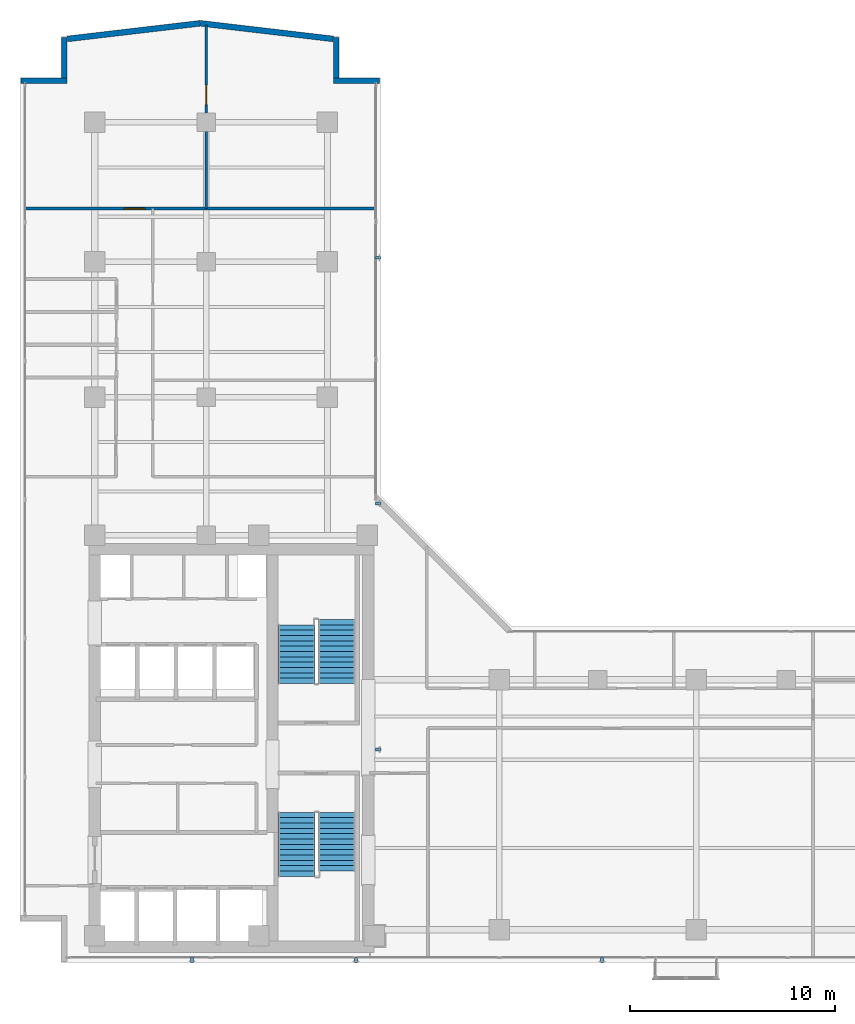
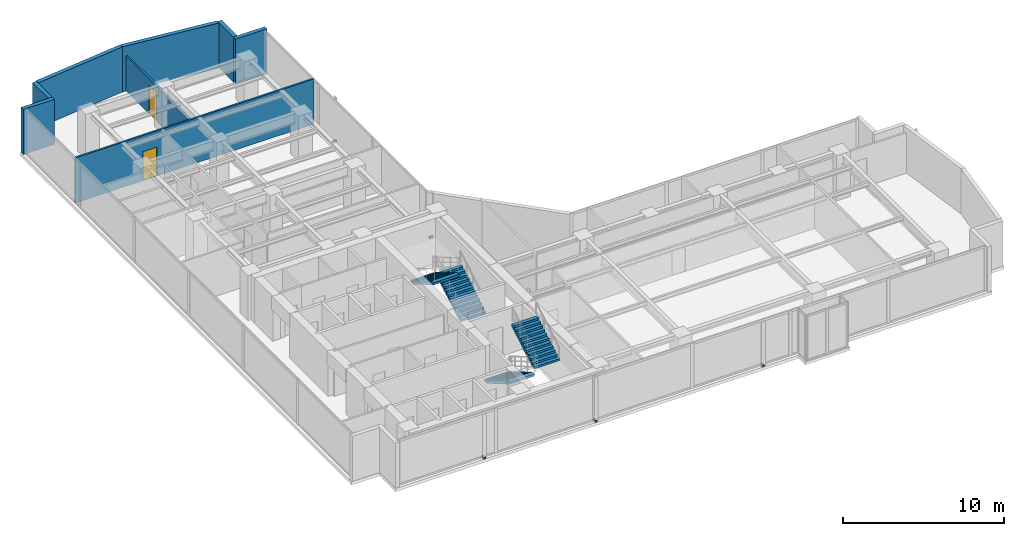
# One storey, part 19 of 24: 8 walls, 6 discrete accessories, 4 stair flights, 2 doors, 2 openings, 2 elements without a shape of their own.
"""IFC4 building model written with IfcOpenShell, lengths in metres."""

from ifc_helpers import new_model, si_unit, direction, frame, frame_2d, origin, origin_with_axes, origin_2d, place, context, subcontext, project, spatial, polyline, rectangle, outline, extrude, source, transform, mapped, material, layer, layer_set, type_object, element, fill, aggregate, save


model = new_model("IFC4")

# Units and contexts
model_context = context("Model", 3, precision=1e-05, world=origin(), true_north=direction((0.0, 1.0)))
body_context = subcontext(model_context, "Body", "Model", "MODEL_VIEW")
ifc_project = project(units=[si_unit("LENGTHUNIT", "METRE"), si_unit("AREAUNIT", "SQUARE_METRE"), si_unit("VOLUMEUNIT", "CUBIC_METRE"), si_unit("PLANEANGLEUNIT", "RADIAN"), si_unit("MASSUNIT", "GRAM", prefix="KILO")], contexts=[model_context])

# Site, building, storey
site_placement = place(None, origin())
site = spatial("IfcSite", under=ifc_project, at=site_placement, CompositionType="ELEMENT")
building_placement = place(site_placement, origin())
building = spatial("IfcBuilding", under=site, at=building_placement, Name="Kolvaren Waterfront Exchange", CompositionType="ELEMENT")
storey_placement = place(building_placement, frame((0.0, 0.0, 253.89990234375)))
storey = spatial("IfcBuildingStorey", under=building, at=storey_placement, Name="L65", CompositionType="ELEMENT", Elevation=253.89990234375)

# Walls
ifc_material_1 = material(Name="Precast concrete C40/50", Category="concrete")
ifc_layer_1 = layer(ifc_material_1, 0.280029296875, Name="Precast concrete C40/50")
ifc_layer_set_1 = layer_set([ifc_layer_1], Name="Precast concrete C40/50")
wall_type_1 = type_object("IfcWallType", Name="ARC-EXT-TERR-280", PredefinedType="SOLIDWALL", material=ifc_layer_set_1)
wall_1_placement = place(storey_placement, frame((19.10009765625, 46.639892578125, 0.0), z_axis=(0.0, 0.0, 1.0), x_axis=(1.0, 0.0, 0.0)))
element("IfcWall", 1, at=wall_1_placement, inside=storey, type_object=wall_type_1, Name="L65 notched corner spandrel pier NNE-A", PredefinedType="SOLIDWALL", context=body_context, shape_type="SweptSolid", body=[
    extrude(rectangle(XDim=2.239990234375, YDim=0.280029296875, at=frame_2d((1.1201171875, 0.0))), origin(), (0.0, 0.0, 1.0), 3.420166015625),
])
wall_2_placement = place(storey_placement, frame((19.239990234375, 46.780029296875, 0.0), z_axis=(0.0, 0.0, 1.0), x_axis=(0.0, 1.0, 0.0)))
element("IfcWall", 2, at=wall_2_placement, inside=storey, type_object=wall_type_1, Name="L65 notched corner spandrel pier NNE-B", PredefinedType="SOLIDWALL", context=body_context, shape_type="SweptSolid", body=[
    extrude(rectangle(XDim=1.9599609375, YDim=0.280029296875, at=frame_2d((0.97998046875, 0.0))), origin(), (0.0, 0.0, 1.0), 3.420166015625),
])
wall_3_placement = place(storey_placement, frame((3.860107421875, 46.639892578125, 0.0), z_axis=(0.0, 0.0, 1.0), x_axis=(1.0, 0.0, 0.0)))
element("IfcWall", 3, at=wall_3_placement, inside=storey, type_object=wall_type_1, Name="L65 notched corner spandrel pier NW-A", PredefinedType="SOLIDWALL", context=body_context, shape_type="SweptSolid", body=[
    extrude(rectangle(XDim=2.239990234375, YDim=0.280029296875, at=frame_2d((1.1201171875, 0.0))), origin(), (0.0, 0.0, 1.0), 3.420166015625),
])
wall_4_placement = place(storey_placement, frame((5.9599609375, 46.780029296875, 0.0), z_axis=(0.0, 0.0, 1.0), x_axis=(0.0, 1.0, 0.0)))
element("IfcWall", 4, at=wall_4_placement, inside=storey, type_object=wall_type_1, Name="L65 notched corner spandrel pier NW-B", PredefinedType="SOLIDWALL", context=body_context, shape_type="SweptSolid", body=[
    extrude(rectangle(XDim=1.9599609375, YDim=0.280029296875, at=frame_2d((0.97998046875, 0.0))), origin(), (0.0, 0.0, 1.0), 3.420166015625),
])
for number, where, z_axis, x_axis, name in (
    (5, (19.08349609375, 48.676025390625, 0.0), (0.0, 0.0, 1.0), (-0.993149072278, 0.11685426921, 0.0), "L65 north prow faceted facade wall 1"),
    (6, (12.598876953125, 49.438720703125, 0.0), (0.0, 0.0, 1.0), (-0.993149072278, -0.11685426921, 0.0), "L65 north prow faceted facade wall 2"),
):
    element("IfcWall", number, at=place(storey_placement, frame(where, z_axis=z_axis, x_axis=x_axis)), inside=storey, type_object=wall_type_1, Name=name, PredefinedType="SOLIDWALL", context=body_context, shape_type="SweptSolid", body=[
        extrude(rectangle(XDim=6.52685546875, YDim=0.280029296875, at=frame_2d((3.263427734375, 0.0))), origin(), (0.0, 0.0, 1.0), 3.420166015625),
    ])

# Wall, opening, door
ifc_material_2 = material(Name="Acoustic gypsum steel stud", Category="steel")
ifc_layer_2 = layer(ifc_material_2, 0.125, Name="Acoustic gypsum steel stud")
ifc_layer_set_2 = layer_set([ifc_layer_2], Name="Acoustic gypsum steel stud")
wall_type_2 = type_object("IfcWallType", Name="ARC-PART-125", PredefinedType="PARTITIONING", material=ifc_layer_set_2)
wall_5_placement = place(storey_placement, frame((4.0400390625, 40.39990234375, 0.0), z_axis=(0.0, 0.0, 1.0), x_axis=(1.0, 0.0, 0.0)))
wall_5 = element("IfcWall", 7, at=wall_5_placement, inside=storey, type_object=wall_type_2, Name="L65 interior wall PW-L65-NTIP-S", PredefinedType="PARTITIONING", context=body_context, shape_type="SweptSolid", body=[
    extrude(rectangle(XDim=17.119873046875, YDim=0.125, at=frame_2d((8.56005859375, 0.0))), origin(), (0.0, 0.0, 1.0), 3.420166015625),
])
opening_1_placement = place(wall_5_placement, frame((4.85009765625, 0.0, 0.0)))
opening_1 = element("IfcOpeningElement", 8, at=opening_1_placement, cuts=wall_5, Name="Opening D03", PredefinedType="OPENING", context=body_context, shape_type="SweptSolid", body=[
    extrude(rectangle(XDim=1.0, YDim=2.199951171875, at=frame_2d((0.5, 1.10009765625))), frame((0.0, 0.072509765625, 0.0), z_axis=(0.0, -1.0, 0.0), x_axis=(1.0, 0.0, 0.0)), (0.0, 0.0, 1.0), 0.14501953125),
])
ifc_material_3 = material(Name="Oak veneer accessible timber", Category="wood")
door_type_1 = type_object("IfcDoorType", Name="ARC-DR-1000", OperationType="NOTDEFINED", PredefinedType="DOOR", material=ifc_material_3)
door_1_placement = place(opening_1_placement, origin())
door_1 = element("IfcDoor", 9, at=door_1_placement, inside=storey, type_object=door_type_1, Name="L65 door DR-L65-NTIPW-D (D03)", OperationType="SINGLE_SWING_RIGHT", OverallHeight=2.199951171875, OverallWidth=1.0, PredefinedType="DOOR", context=body_context, shape_type="SweptSolid", body=[
    extrude(rectangle(XDim=1.0, YDim=2.199951171875, at=frame_2d((0.5, 1.10009765625))), frame((0.0, 0.02490234375, 0.0), z_axis=(0.0, -1.0, 0.0), x_axis=(1.0, 0.0, 0.0)), (0.0, 0.0, 1.0), 0.050048828125),
])
fill(opening_1, door_1)

wall_6_placement = place(storey_placement, frame((12.89990234375, 40.39990234375, 0.0), z_axis=(0.0, 0.0, 1.0), x_axis=(0.0, 1.0, 0.0)))
wall_6 = element("IfcWall", 10, at=wall_6_placement, inside=storey, type_object=wall_type_2, Name="L65 interior wall PW-L65-NTIP-DIV", PredefinedType="PARTITIONING", context=body_context, shape_type="SweptSolid", body=[
    extrude(rectangle(XDim=8.960205078125, YDim=0.125, at=frame_2d((4.47998046875, 0.0))), origin(), (0.0, 0.0, 1.0), 2.658203125),
])
opening_2_placement = place(wall_6_placement, frame((5.069091796875, 0.0, 0.0)))
opening_2 = element("IfcOpeningElement", 11, at=opening_2_placement, cuts=wall_6, Name="Opening D02", PredefinedType="OPENING", context=body_context, shape_type="SweptSolid", body=[
    extrude(rectangle(XDim=0.949951171875, YDim=2.14990234375, at=frame_2d((0.47509765625, 1.074951171875))), frame((0.0, 0.072509765625, 0.0), z_axis=(0.0, -1.0, 0.0), x_axis=(1.0, 0.0, 0.0)), (0.0, 0.0, 1.0), 0.14501953125),
])
ifc_material_4 = material(Name="Oak veneer acoustic timber", Category="wood")
door_type_2 = type_object("IfcDoorType", Name="ARC-DR-950", OperationType="NOTDEFINED", PredefinedType="DOOR", material=ifc_material_4)
door_2_placement = place(opening_2_placement, origin())
door_2 = element("IfcDoor", 12, at=door_2_placement, inside=storey, type_object=door_type_2, Name="L65 door DR-L65-NTIPE-D (D02)", OperationType="SINGLE_SWING_LEFT", OverallHeight=2.14990234375, OverallWidth=0.949951171875, PredefinedType="DOOR", context=body_context, shape_type="SweptSolid", body=[
    extrude(rectangle(XDim=0.949951171875, YDim=2.14990234375, at=frame_2d((0.47509765625, 1.074951171875))), frame((0.0, 0.02490234375, 0.0), z_axis=(0.0, -1.0, 0.0), x_axis=(1.0, 0.0, 0.0)), (0.0, 0.0, 1.0), 0.050048828125),
])
fill(opening_2, door_2)

# Stair, stair flights
ifc_material_5 = material(Name="Concrete C40/50", Category="concrete")
stair_type = type_object("IfcStairType", Name="ARC-STAIR-3800", PredefinedType="HALF_TURN_STAIR", material=ifc_material_5)
stair_1_placement = place(storey_placement, origin())
stair_1 = element("IfcStair", 13, at=stair_1_placement, inside=storey, type_object=stair_type, Name="L65 Smoke-proof exit stair ST1", PredefinedType="HALF_TURN_STAIR")
stair_flight_type = type_object("IfcStairFlightType", Name="ARC-FLIGHT-3800", PredefinedType="STRAIGHT", material=ifc_material_5)
stair_flight_1_placement = place(storey_placement, frame((17.300048828125, 10.929931640625, 0.0), z_axis=(0.0, 0.0, 1.0), x_axis=(0.0, -1.0, 0.0)))
stair_flight_1 = element("IfcStairFlight", 14, at=stair_flight_1_placement, type_object=stair_flight_type, Name="ST1 flight 1", NumberOfRisers=13, NumberOfTreads=12, PredefinedType="STRAIGHT", RiserHeight=0.152, TreadLength=0.26, context=body_context, shape_type="SweptSolid", body=[
    extrude(outline(polyline([(0.0, 0.0), (0.0, 0.152099609375), (0.260009765625, 0.152099609375), (0.260009765625, 0.303955078125), (0.52001953125, 0.303955078125), (0.52001953125, 0.4560546875), (0.780029296875, 0.4560546875), (0.780029296875, 0.60791015625), (1.0400390625, 0.60791015625), (1.0400390625, 0.760009765625), (1.300048828125, 0.760009765625), (1.300048828125, 0.912109375), (1.56005859375, 0.912109375), (1.56005859375, 1.06396484375), (1.820068359375, 1.06396484375), (1.820068359375, 1.216064453125), (2.080078125, 1.216064453125), (2.080078125, 1.367919921875), (2.340087890625, 1.367919921875), (2.340087890625, 1.52001953125), (2.60009765625, 1.52001953125), (2.60009765625, 1.672119140625), (2.860107421875, 1.672119140625), (2.860107421875, 1.823974609375), (3.1201171875, 1.823974609375), (3.1201171875, 1.97607421875), (3.1201171875, 1.650390625), (0.297119140625, 0.0), (0.0, 0.0)])), frame((0.0, 0.89990234375, 0.0), z_axis=(0.0, -1.0, 0.0), x_axis=(1.0, 0.0, 0.0)), (0.0, 0.0, 1.0), 1.800048828125),
])
stair_flight_2_placement = place(storey_placement, frame((19.260009765625, 8.070068359375, 1.97607421875), z_axis=(0.0, 0.0, 1.0), x_axis=(0.0, 1.0, 0.0)))
stair_flight_2 = element("IfcStairFlight", 15, at=stair_flight_2_placement, type_object=stair_flight_type, Name="ST1 flight 2", NumberOfRisers=12, NumberOfTreads=11, PredefinedType="STRAIGHT", RiserHeight=0.152, TreadLength=0.26, context=body_context, shape_type="SweptSolid", body=[
    extrude(outline(polyline([(0.0, 0.0), (0.0, 0.152099609375), (0.260009765625, 0.152099609375), (0.260009765625, 0.303955078125), (0.52001953125, 0.303955078125), (0.52001953125, 0.4560546875), (0.780029296875, 0.4560546875), (0.780029296875, 0.60791015625), (1.0400390625, 0.60791015625), (1.0400390625, 0.760009765625), (1.300048828125, 0.760009765625), (1.300048828125, 0.912109375), (1.56005859375, 0.912109375), (1.56005859375, 1.06396484375), (1.820068359375, 1.06396484375), (1.820068359375, 1.216064453125), (2.080078125, 1.216064453125), (2.080078125, 1.367919921875), (2.340087890625, 1.367919921875), (2.340087890625, 1.52001953125), (2.60009765625, 1.52001953125), (2.60009765625, 1.672119140625), (2.860107421875, 1.672119140625), (2.860107421875, 1.823974609375), (2.860107421875, 1.498291015625), (0.297119140625, 0.0), (0.0, 0.0)])), frame((0.0, 0.89990234375, 0.0), z_axis=(0.0, -1.0, 0.0), x_axis=(1.0, 0.0, 0.0)), (0.0, 0.0, 1.0), 1.800048828125),
])
aggregate(stair_1, [stair_flight_1, stair_flight_2])

stair_2_placement = place(storey_placement, origin())
stair_2 = element("IfcStair", 16, at=stair_2_placement, inside=storey, type_object=stair_type, Name="L65 Smoke-proof exit stair ST2", PredefinedType="HALF_TURN_STAIR")
stair_flight_3_placement = place(storey_placement, frame((19.260009765625, 17.219970703125, 0.0), z_axis=(0.0, 0.0, 1.0), x_axis=(0.0, 1.0, 0.0)))
stair_flight_3 = element("IfcStairFlight", 17, at=stair_flight_3_placement, type_object=stair_flight_type, Name="ST2 flight 1", NumberOfRisers=13, NumberOfTreads=12, PredefinedType="STRAIGHT", RiserHeight=0.152, TreadLength=0.26, context=body_context, shape_type="SweptSolid", body=[
    extrude(outline(polyline([(0.0, 0.0), (0.0, 0.152099609375), (0.260009765625, 0.152099609375), (0.260009765625, 0.303955078125), (0.52001953125, 0.303955078125), (0.52001953125, 0.4560546875), (0.780029296875, 0.4560546875), (0.780029296875, 0.60791015625), (1.0400390625, 0.60791015625), (1.0400390625, 0.760009765625), (1.300048828125, 0.760009765625), (1.300048828125, 0.912109375), (1.56005859375, 0.912109375), (1.56005859375, 1.06396484375), (1.820068359375, 1.06396484375), (1.820068359375, 1.216064453125), (2.080078125, 1.216064453125), (2.080078125, 1.367919921875), (2.340087890625, 1.367919921875), (2.340087890625, 1.52001953125), (2.60009765625, 1.52001953125), (2.60009765625, 1.672119140625), (2.860107421875, 1.672119140625), (2.860107421875, 1.823974609375), (3.1201171875, 1.823974609375), (3.1201171875, 1.97607421875), (3.1201171875, 1.650390625), (0.297119140625, 0.0), (0.0, 0.0)])), frame((0.0, 0.89990234375, 0.0), z_axis=(0.0, -1.0, 0.0), x_axis=(1.0, 0.0, 0.0)), (0.0, 0.0, 1.0), 1.800048828125),
])
stair_flight_4_placement = place(storey_placement, frame((17.300048828125, 20.080078125, 1.97607421875), z_axis=(0.0, 0.0, 1.0), x_axis=(0.0, -1.0, 0.0)))
stair_flight_4 = element("IfcStairFlight", 18, at=stair_flight_4_placement, type_object=stair_flight_type, Name="ST2 flight 2", NumberOfRisers=12, NumberOfTreads=11, PredefinedType="STRAIGHT", RiserHeight=0.152, TreadLength=0.26, context=body_context, shape_type="SweptSolid", body=[
    extrude(outline(polyline([(0.0, 0.0), (0.0, 0.152099609375), (0.260009765625, 0.152099609375), (0.260009765625, 0.303955078125), (0.52001953125, 0.303955078125), (0.52001953125, 0.4560546875), (0.780029296875, 0.4560546875), (0.780029296875, 0.60791015625), (1.0400390625, 0.60791015625), (1.0400390625, 0.760009765625), (1.300048828125, 0.760009765625), (1.300048828125, 0.912109375), (1.56005859375, 0.912109375), (1.56005859375, 1.06396484375), (1.820068359375, 1.06396484375), (1.820068359375, 1.216064453125), (2.080078125, 1.216064453125), (2.080078125, 1.367919921875), (2.340087890625, 1.367919921875), (2.340087890625, 1.52001953125), (2.60009765625, 1.52001953125), (2.60009765625, 1.672119140625), (2.860107421875, 1.672119140625), (2.860107421875, 1.823974609375), (2.860107421875, 1.498291015625), (0.297119140625, 0.0), (0.0, 0.0)])), frame((0.0, 0.89990234375, 0.0), z_axis=(0.0, -1.0, 0.0), x_axis=(1.0, 0.0, 0.0)), (0.0, 0.0, 1.0), 1.800048828125),
])
aggregate(stair_2, [stair_flight_3, stair_flight_4])

# Discrete accessories
ifc_material_6 = material(Name="Stainless steel 316", Category="steel")
discrete_accessory_type = type_object("IfcDiscreteAccessoryType", Name="ARC-BRK-FIN", PredefinedType="BRACKET", material=ifc_material_6)
shared_shape = source(origin_with_axes(), body_context, "Body", "SweptSolid", [
    extrude(rectangle(XDim=0.280029296875, YDim=0.139892578125, at=origin_2d()), origin(), (0.0, 0.0, 1.0), 0.159912109375),
])
for number, where, z_axis, x_axis, name in (
    (19, (12.199951171875, 3.719970703125, 0.0), (0.0, 0.0, 1.0), (0.0, -1.0, 0.0), "L65 bronze fin anchor bracket FIN-L65-S1"),
    (20, (20.199951171875, 3.719970703125, 0.0), (0.0, 0.0, 1.0), (0.0, -1.0, 0.0), "L65 bronze fin anchor bracket FIN-L65-S2"),
    (21, (32.199951171875, 3.719970703125, 0.0), (0.0, 0.0, 1.0), (0.0, -1.0, 0.0), "L65 bronze fin anchor bracket FIN-L65-S3"),
    (22, (21.280029296875, 14.0, 0.0), (0.0, 0.0, 1.0), (1.0, 0.0, 0.0), "L65 bronze fin anchor bracket FIN-L65-E1"),
    (23, (21.280029296875, 26.0, 0.0), (0.0, 0.0, 1.0), (1.0, 0.0, 0.0), "L65 bronze fin anchor bracket FIN-L65-E2"),
    (24, (21.280029296875, 38.0, 0.0), (0.0, 0.0, 1.0), (1.0, 0.0, 0.0), "L65 bronze fin anchor bracket FIN-L65-E3"),
):
    element("IfcDiscreteAccessory", number, at=place(storey_placement, frame(where, z_axis=z_axis, x_axis=x_axis)), inside=storey, type_object=discrete_accessory_type, Name=name, PredefinedType="BRACKET", context=body_context, shape_type="MappedRepresentation", body=[
        mapped(shared_shape, transform((0.0, 0.0, 0.0), x_axis=(1.0, 0.0, 0.0), y_axis=(0.0, 1.0, 0.0), z_axis=(0.0, 0.0, 1.0), scale=1.0)),
    ])

save(model, "model.ifc")
